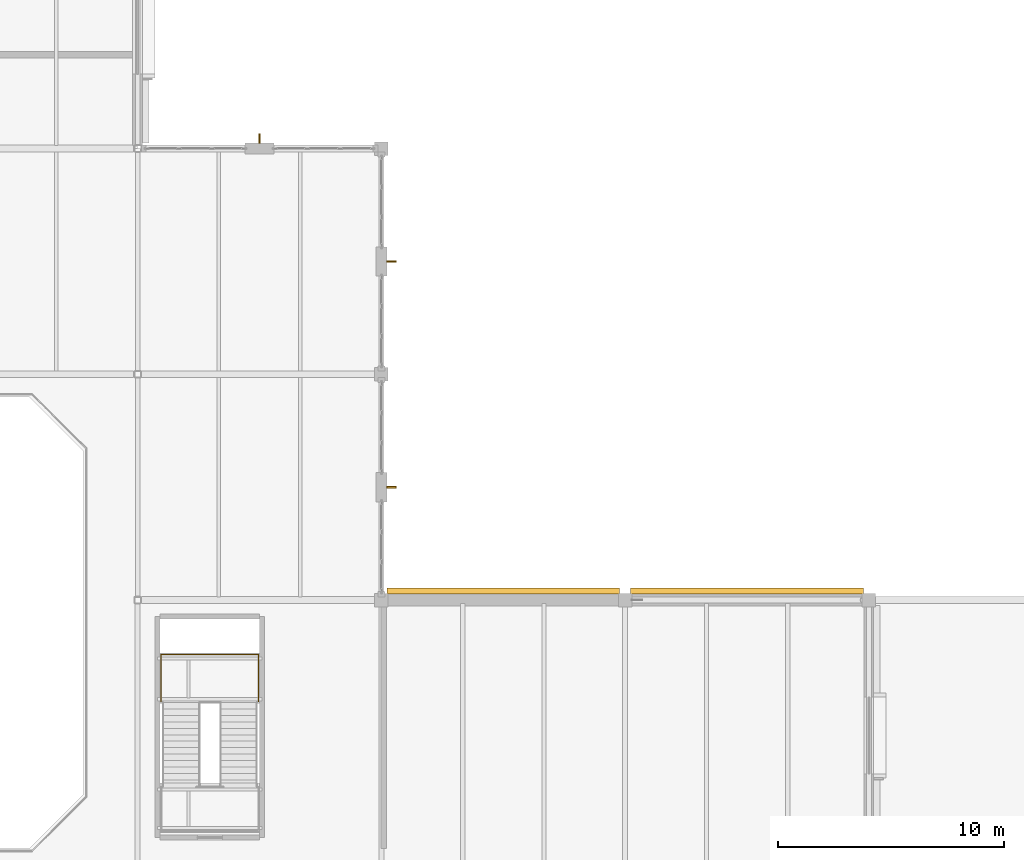
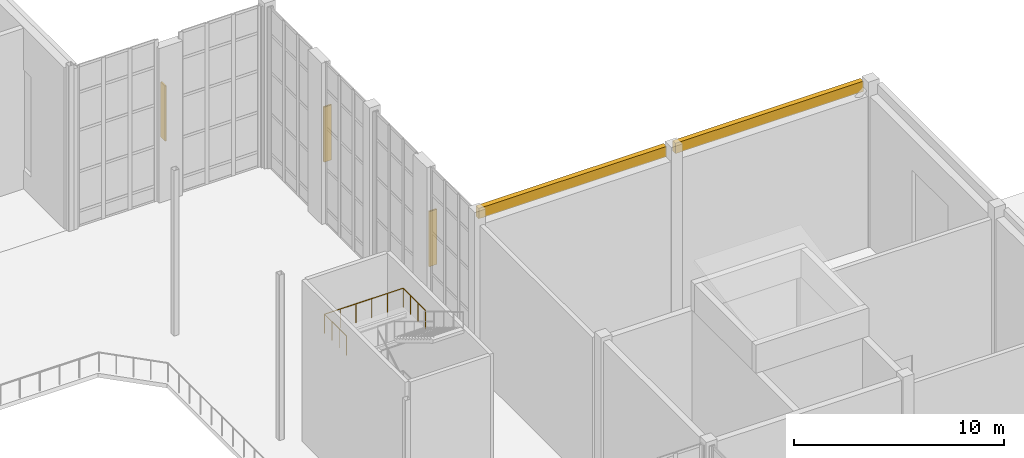
# One storey, part 95 of 100: 3 shading devices, 2 coverings, 1 railing.
"""IFC4 building model written with IfcOpenShell, lengths in metres."""

from ifc_helpers import new_model, si_unit, direction, frame, origin, origin_2d, place, context, subcontext, project, spatial, rectangle, circle, extrude, material, layer, layer_set, type_object, element, save


model = new_model("IFC4")

# Units and contexts
model_context = context("Model", 3, precision=1e-05, world=origin(), true_north=direction((0.0, 1.0)))
body_context = subcontext(model_context, "Body", "Model", "MODEL_VIEW")
ifc_project = project(units=[si_unit("LENGTHUNIT", "METRE"), si_unit("AREAUNIT", "SQUARE_METRE"), si_unit("VOLUMEUNIT", "CUBIC_METRE"), si_unit("PLANEANGLEUNIT", "RADIAN"), si_unit("MASSUNIT", "GRAM", prefix="KILO")], contexts=[model_context])

# Site, building, storey
site_placement = place(None, origin())
site = spatial("IfcSite", under=ifc_project, at=site_placement, CompositionType="ELEMENT")
building_placement = place(site_placement, origin())
building = spatial("IfcBuilding", under=site, at=building_placement, Name="Tasgan Crest Museum", CompositionType="ELEMENT")
storey_placement = place(building_placement, frame((0.0, 0.0, 14.39990234375)))
storey = spatial("IfcBuildingStorey", under=building, at=storey_placement, Name="L03", CompositionType="ELEMENT", Elevation=14.39990234375)

# Coverings
ifc_material_1 = material(Name="Honed Buff Limestone", Category="masonry")
ifc_layer = layer(ifc_material_1, 0.044921875, Name="COV-LIMESTONE-BUFF")
ifc_layer_set = layer_set([ifc_layer], Name="Honed Buff Limestone")
covering_type = type_object("IfcCoveringType", Name="COV-LIMESTONE-BUFF", PredefinedType="CLADDING", material=ifc_layer_set)
for number, where, z_axis, x_axis, name in (
    (1, (124.199951171875, 62.39990234375, 8.7099609375), (0.0, 0.0, 1.0), (-1.0, 0.0, 0.0), "Stone frieze cladding L03"),
    (2, (113.39990234375, 62.39990234375, 8.7099609375), (0.0, 0.0, 1.0), (-1.0, 0.0, 0.0), "Stone frieze cladding L03"),
):
    element("IfcCovering", number, at=place(storey_placement, frame(where, z_axis=z_axis, x_axis=x_axis)), inside=storey, type_object=covering_type, Name=name, PredefinedType="CLADDING", context=body_context, shape_type="SweptSolid", body=[
        extrude(rectangle(XDim=10.31005859375, YDim=0.280029296875, at=origin_2d()), origin(), (0.0, 0.0, 1.0), 0.60009765625),
    ])

# Railing
ifc_material_2 = material(Name="Brushed Bronze and Toughened Glass", Category="glass")
railing_type = type_object("IfcRailingType", Name="RL-INT-GUARD-1120", PredefinedType="GUARDRAIL", material=ifc_material_2)
railing_placement = place(storey_placement, frame((98.239990234375, 57.4951171875, 7.2001953125)))
element("IfcRailing", 3, at=railing_placement, inside=storey, type_object=railing_type, Name="Stair half-landing perimeter guard ST-AT-L03 T2", PredefinedType="GUARDRAIL", context=body_context, shape_type="SweptSolid", body=[
    extrude(circle(Radius=0.02392578125, at=origin_2d()), frame((0.0, 0.0, 1.09619140625), z_axis=(0.0, 1.0, 0.0), x_axis=(-1.0, 0.0, 0.0)), (0.0, 0.0, 1.0), 2.099853515625),
    extrude(circle(Radius=0.02392578125, at=origin_2d()), frame((0.0, 2.099853515625, 1.09619140625), z_axis=(1.0, 0.0, 0.0), x_axis=(0.0, 1.0, 0.0)), (0.0, 0.0, 1.0), 4.320068359375),
    extrude(circle(Radius=0.02392578125, at=origin_2d()), frame((4.320068359375, 2.099853515625, 1.09619140625), z_axis=(0.0, -1.0, 0.0), x_axis=(1.0, 0.0, 0.0)), (0.0, 0.0, 1.0), 2.099853515625),
    extrude(circle(Radius=0.02099609375, at=origin_2d()), origin(), (0.0, 0.0, 1.0), 1.072021484375),
    extrude(circle(Radius=0.02099609375, at=origin_2d()), frame((0.0, 0.699951171875, 0.0)), (0.0, 0.0, 1.0), 1.072021484375),
    extrude(circle(Radius=0.02099609375, at=origin_2d()), frame((0.0, 1.39990234375, 0.0)), (0.0, 0.0, 1.0), 1.072021484375),
    extrude(circle(Radius=0.02099609375, at=origin_2d()), frame((0.0, 2.099853515625, 0.0)), (0.0, 0.0, 1.0), 1.072021484375),
    extrude(circle(Radius=0.02099609375, at=origin_2d()), frame((0.864013671875, 2.099853515625, 0.0)), (0.0, 0.0, 1.0), 1.072021484375),
    extrude(circle(Radius=0.02099609375, at=origin_2d()), frame((1.72802734375, 2.099853515625, 0.0)), (0.0, 0.0, 1.0), 1.072021484375),
    extrude(circle(Radius=0.02099609375, at=origin_2d()), frame((2.592041015625, 2.099853515625, 0.0)), (0.0, 0.0, 1.0), 1.072021484375),
    extrude(circle(Radius=0.02099609375, at=origin_2d()), frame((3.4560546875, 2.099853515625, 0.0)), (0.0, 0.0, 1.0), 1.072021484375),
    extrude(circle(Radius=0.02099609375, at=origin_2d()), frame((4.320068359375, 2.099853515625, 0.0)), (0.0, 0.0, 1.0), 1.072021484375),
    extrude(circle(Radius=0.02099609375, at=origin_2d()), frame((4.320068359375, 1.39990234375, 0.0)), (0.0, 0.0, 1.0), 1.072021484375),
    extrude(circle(Radius=0.02099609375, at=origin_2d()), frame((4.320068359375, 0.699951171875, 0.0)), (0.0, 0.0, 1.0), 1.072021484375),
    extrude(circle(Radius=0.02099609375, at=origin_2d()), frame((4.320068359375, 0.0, 0.0)), (0.0, 0.0, 1.0), 1.072021484375),
])

# Shading devices
ifc_material_3 = material(Name="Anodised Bronze Aluminium", Category="aluminium")
shading_device_type = type_object("IfcShadingDeviceType", Name="SH-FIN-V400", PredefinedType="JALOUSIE", material=ifc_material_3)
for number, where, z_axis, x_axis, name in (
    (4, (108.449951171875, 67.0, 3.080078125), (0.0, 0.0, 1.0), (0.0, 1.0, 0.0), "Facade pier solar fin L03"),
    (5, (108.449951171875, 77.0, 3.080078125), (0.0, 0.0, 1.0), (0.0, 1.0, 0.0), "Facade pier solar fin L03"),
    (6, (102.60009765625, 82.449951171875, 3.080078125), (0.0, 0.0, 1.0), (-1.0, 0.0, 0.0), "Facade pier solar fin L03"),
):
    element("IfcShadingDevice", number, at=place(storey_placement, frame(where, z_axis=z_axis, x_axis=x_axis)), inside=storey, type_object=shading_device_type, Name=name, PredefinedType="JALOUSIE", context=body_context, shape_type="SweptSolid", body=[
        extrude(rectangle(XDim=0.080078125, YDim=0.419921875, at=origin_2d()), origin(), (0.0, 0.0, 1.0), 3.199951171875),
    ])

save(model, "model.ifc")
